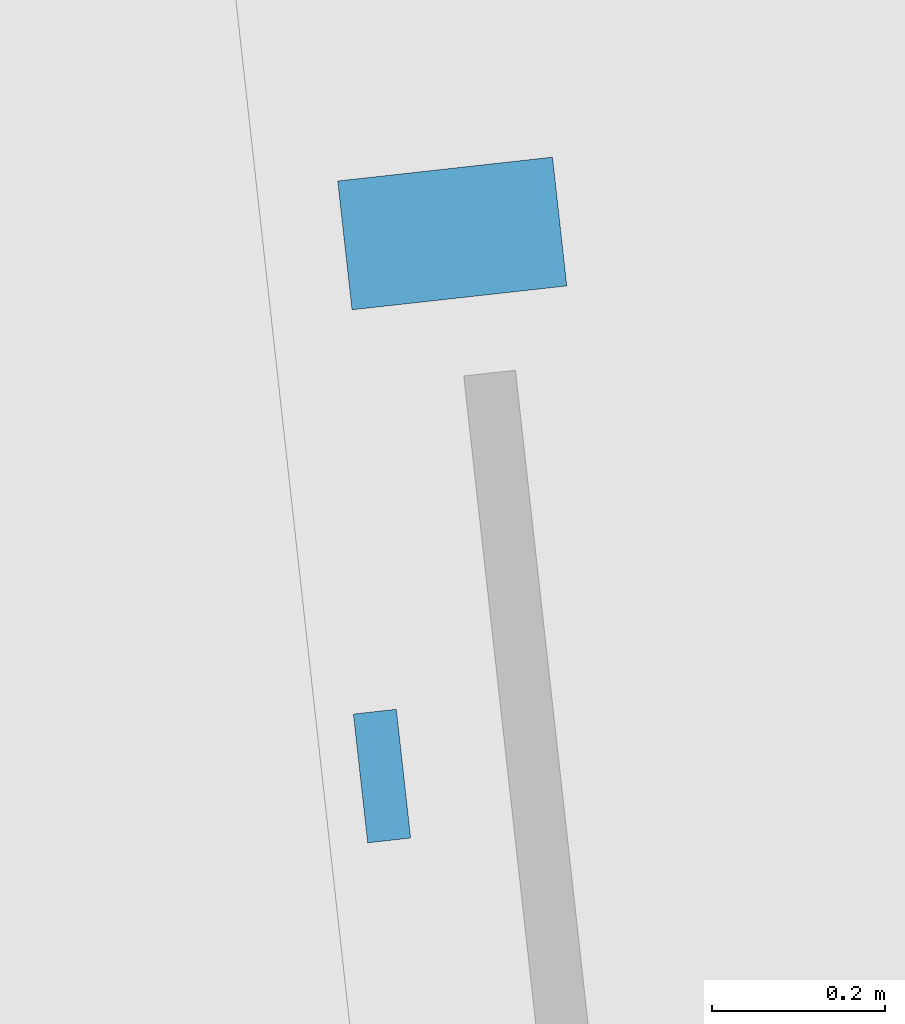
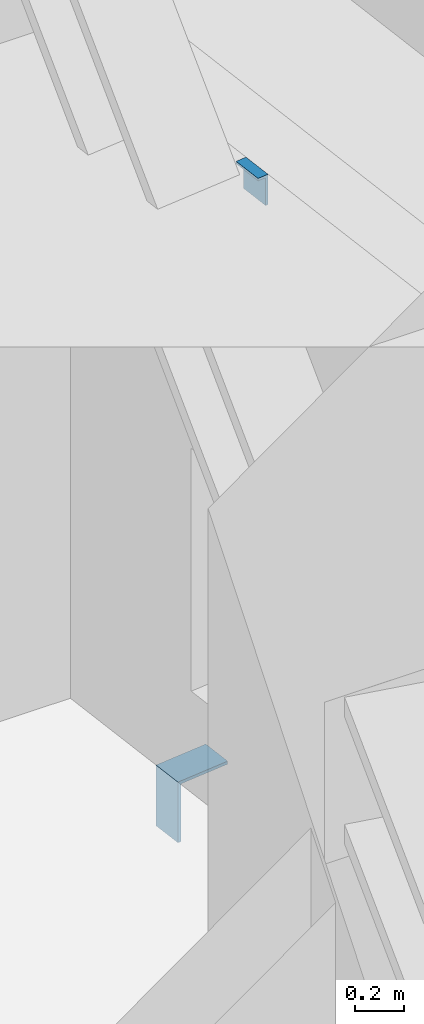
# One storey, part 13 of 17: 2 discrete accessories.
"""IFC4 building model written with IfcOpenShell, lengths in metres."""

from ifc_helpers import new_model, si_unit, direction, frame, origin, place, context, subcontext, project, spatial, polyline, outline, extrude, source, transform, mapped, material, layer, layer_set, type_object, element, save


model = new_model("IFC4")

# Units and contexts
model_context = context("Model", 3, precision=1e-05, world=origin(), true_north=direction((0.0, 1.0)))
body_context = subcontext(model_context, "Body", "Model", "MODEL_VIEW")
ifc_project = project(units=[si_unit("LENGTHUNIT", "METRE"), si_unit("AREAUNIT", "SQUARE_METRE"), si_unit("VOLUMEUNIT", "CUBIC_METRE"), si_unit("PLANEANGLEUNIT", "RADIAN"), si_unit("MASSUNIT", "GRAM", prefix="KILO")], contexts=[model_context])

# Site, building, storey
site_placement = place(None, origin())
site = spatial("IfcSite", under=ifc_project, at=site_placement, CompositionType="ELEMENT")
building_placement = place(site_placement, origin())
building = spatial("IfcBuilding", under=site, at=building_placement, Name="Kilele Tower Hotel", CompositionType="ELEMENT")
storey_placement = place(building_placement, frame((0.0, 0.0, 151.89990234375)))
storey = spatial("IfcBuildingStorey", under=building, at=storey_placement, Name="L39", CompositionType="ELEMENT", Elevation=151.89990234375)

# Discrete accessories
ifc_material_1 = material(Name="Hot-dip galvanized steel S355", Category="steel")
ifc_layer_1 = layer(ifc_material_1, 0.014892578125)
ifc_layer_set_1 = layer_set([ifc_layer_1], Name="Hot-dip galvanized steel S355")
discrete_accessory_type_1 = type_object("IfcDiscreteAccessoryType", Name="Facade panel bearing bracket 250x150x15", PredefinedType="BRACKET", material=ifc_layer_set_1)
shared_shape_1 = source(origin(), body_context, "Body", "SweptSolid", [
    extrude(outline(polyline([(0.0, 0.0), (0.25, 0.0), (0.25, -0.014892578125), (0.014892578125, -0.014892578125), (0.014892578125, -0.300048828125), (0.0, -0.300048828125), (0.0, 0.0)])), origin(), (0.0, 0.0, 1.0), 0.14990234375),
])
discrete_accessory_1_placement = place(storey_placement, frame((46.471923828125, 29.96875, 0.0), z_axis=(0.110432, -0.993884, 0.0), x_axis=(0.993884, 0.110432, 0.0)))
element("IfcDiscreteAccessory", 1, at=discrete_accessory_1_placement, inside=storey, type_object=discrete_accessory_type_1, Name="Facade panel bearing bracket L39", PredefinedType="BRACKET", context=body_context, shape_type="MappedRepresentation", body=[
    mapped(shared_shape_1, transform((0.0, 0.0, 0.0))),
])
ifc_material_2 = material(Name="Hot-dip galvanized steel S355", Category="steel")
ifc_layer_2 = layer(ifc_material_2, 0.011962890625)
ifc_layer_set_2 = layer_set([ifc_layer_2], Name="Hot-dip galvanized steel S355")
discrete_accessory_type_2 = type_object("IfcDiscreteAccessoryType", Name="Facade panel restraint bracket 150x50x12", PredefinedType="BRACKET", material=ifc_layer_set_2)
shared_shape_2 = source(origin(), body_context, "Body", "SweptSolid", [
    extrude(outline(polyline([(0.0, 0.0), (0.0, -0.14990234375), (-0.011962890625, -0.14990234375), (-0.011962890625, -0.011962890625), (-0.050048828125, -0.011962890625), (-0.050048828125, 0.0), (0.0, 0.0)])), origin(), (0.0, 0.0, 1.0), 0.14990234375),
])
discrete_accessory_2_placement = place(storey_placement, frame((46.539794921875, 29.357666015625, 3.35009765625), z_axis=(0.110432, -0.993884, 0.0), x_axis=(0.993884, 0.110432, 0.0)))
element("IfcDiscreteAccessory", 2, at=discrete_accessory_2_placement, inside=storey, type_object=discrete_accessory_type_2, Name="Facade panel restraint bracket L39", PredefinedType="BRACKET", context=body_context, shape_type="MappedRepresentation", body=[
    mapped(shared_shape_2, transform((0.0, 0.0, 0.0))),
])

save(model, "model.ifc")
